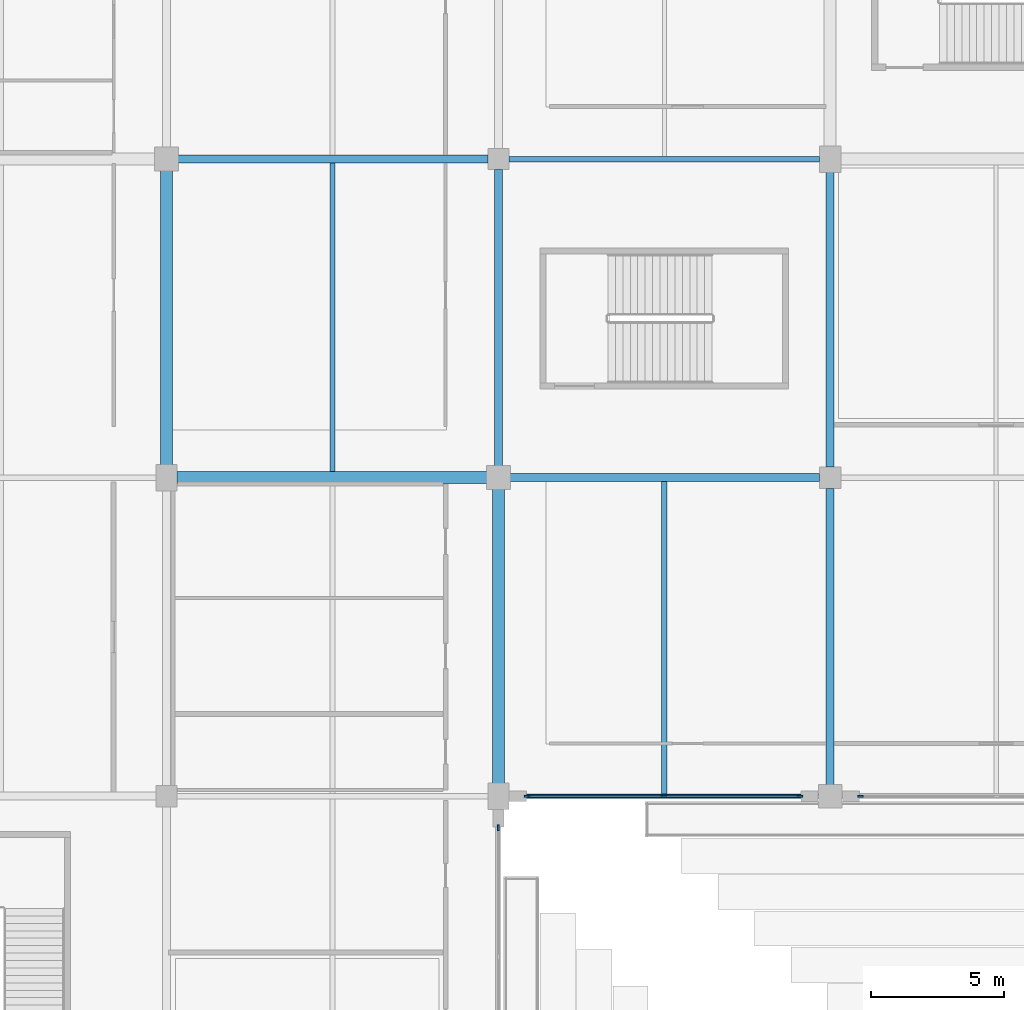
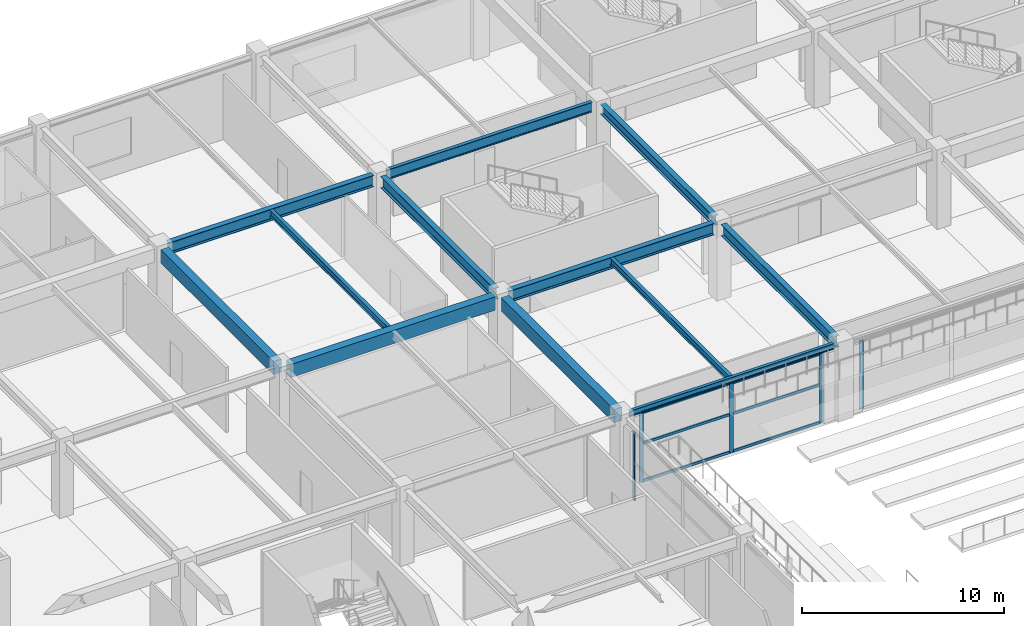
# One storey, part 52 of 134: 12 beams, 11 members, 3 elements without a shape of their own.
"""IFC4 building model written with IfcOpenShell, lengths in metres."""

from ifc_helpers import new_model, si_unit, direction, frame, origin, origin_2d, place, context, subcontext, project, spatial, rectangle, i_section, extrude, material, layer, layer_set, material_profile, profile_set, type_object, element, aggregate, save


model = new_model("IFC4")

# Units and contexts
model_context = context("Model", 3, precision=1e-05, world=origin(), true_north=direction((0.0, 1.0)))
body_context = subcontext(model_context, "Body", "Model", "MODEL_VIEW")
ifc_project = project(units=[si_unit("LENGTHUNIT", "METRE"), si_unit("AREAUNIT", "SQUARE_METRE"), si_unit("VOLUMEUNIT", "CUBIC_METRE"), si_unit("PLANEANGLEUNIT", "RADIAN"), si_unit("MASSUNIT", "GRAM", prefix="KILO")], contexts=[model_context])

# Site, building, storey
site_placement = place(None, origin())
site = spatial("IfcSite", under=ifc_project, at=site_placement, CompositionType="ELEMENT")
building_placement = place(site_placement, origin())
building = spatial("IfcBuilding", under=site, at=building_placement, Name="Kazenohara Klinker Stadium", CompositionType="ELEMENT")
storey_placement = place(building_placement, frame((0.0, 0.0, 5.39990234375)))
storey = spatial("IfcBuildingStorey", under=building, at=storey_placement, Name="L01", CompositionType="ELEMENT", Elevation=5.39990234375)

# Beams
ifc_material_1 = material(Name="Steel S355", Category="steel")
ifc_material_profile_1 = material_profile(ifc_material_1, i_section(OverallWidth=0.199951171875, OverallDepth=0.39990234375, WebThickness=0.008056640625, FlangeThickness=0.012939453125, FilletRadius=0.012939453125, at=origin_2d()), Name="H-400x200x8x13")
ifc_profile_set_1 = profile_set([ifc_material_profile_1], Name="Steel S355")
beam_type_1 = type_object("IfcBeamType", Name="BM-JST03", PredefinedType="JOIST", material=ifc_profile_set_1)
beam_1_placement = place(storey_placement, frame((42.75, 144.22509765625, 4.35009765625), z_axis=(0.0, 1.0, 0.0), x_axis=(-1.0, 0.0, 0.0)))
element("IfcBeam", 1, at=beam_1_placement, inside=storey, type_object=beam_type_1, Name="Secondary floor joist SJ03 L01 4/N", PredefinedType="JOIST", context=body_context, shape_type="SweptSolid", body=[
    extrude(i_section(OverallWidth=0.199951171875, OverallDepth=0.39990234375, WebThickness=0.008056640625, FlangeThickness=0.012939453125, FilletRadius=0.012939453125, at=origin_2d()), origin(), (0.0, 0.0, 1.0), 11.625),
])
beam_2_placement = place(storey_placement, frame((55.25, 132.08740234375, 4.35009765625), z_axis=(0.0, 1.0, 0.0), x_axis=(-1.0, 0.0, 0.0)))
element("IfcBeam", 2, at=beam_2_placement, inside=storey, type_object=beam_type_1, Name="Secondary floor joist SJ03 L01 5/M", PredefinedType="JOIST", context=body_context, shape_type="SweptSolid", body=[
    extrude(i_section(OverallWidth=0.199951171875, OverallDepth=0.39990234375, WebThickness=0.008056640625, FlangeThickness=0.012939453125, FilletRadius=0.012939453125, at=origin_2d()), origin(), (0.0, 0.0, 1.0), 11.7626953125),
])
ifc_material_2 = material(Name="Concrete C40/50", Category="concrete")
ifc_material_profile_2 = material_profile(ifc_material_2, rectangle(XDim=0.449951171875, YDim=0.800048828125, at=origin_2d()), Name="RC-BM-450x800")
ifc_profile_set_2 = profile_set([ifc_material_profile_2], Name="Concrete C40/50")
beam_type_2 = type_object("IfcBeamType", Name="BM-RC03", PredefinedType="BEAM", material=ifc_profile_set_2)
beam_3_placement = place(storey_placement, frame((36.89990234375, 144.0, 4.150146484375), z_axis=(1.0, 0.0, 0.0), x_axis=(0.0, 1.0, 0.0)))
element("IfcBeam", 3, at=beam_3_placement, inside=storey, type_object=beam_type_2, Name="Primary girder BG03 L01 4-5/N", PredefinedType="BEAM", context=body_context, shape_type="SweptSolid", body=[
    extrude(rectangle(XDim=0.449951171875, YDim=0.800048828125, at=origin_2d()), origin(), (0.0, 0.0, 1.0), 11.68017578125),
])
for number, where, z_axis, x_axis, name in (
    (4, (36.5, 144.419921875, 4.150146484375), (0.0, 1.0, 0.0), (-1.0, 0.0, 0.0), "Primary girder BG03 L01 4/N-P"),
    (5, (49.0, 132.419921875, 4.150146484375), (0.0, 1.0, 0.0), (-1.0, 0.0, 0.0), "Primary girder BG03 L01 5/M-N"),
):
    element("IfcBeam", number, at=place(storey_placement, frame(where, z_axis=z_axis, x_axis=x_axis)), inside=storey, type_object=beam_type_2, Name=name, PredefinedType="BEAM", context=body_context, shape_type="SweptSolid", body=[
        extrude(rectangle(XDim=0.449951171875, YDim=0.800048828125, at=origin_2d()), origin(), (0.0, 0.0, 1.0), 11.16015625),
    ])
ifc_material_profile_3 = material_profile(ifc_material_1, i_section(OverallWidth=0.175048828125, OverallDepth=0.35009765625, WebThickness=0.007080078125, FlangeThickness=0.010986328125, FilletRadius=0.012939453125, at=origin_2d()), Name="H-350x175x7x11")
ifc_profile_set_3 = profile_set([ifc_material_profile_3], Name="Steel S355")
beam_type_3 = type_object("IfcBeamType", Name="BM-SPD02", PredefinedType="SPANDREL", material=ifc_profile_set_3)
beam_4_placement = place(storey_placement, frame((49.39990234375, 132.0, 4.375), z_axis=(1.0, 0.0, 0.0), x_axis=(0.0, 1.0, 0.0)))
element("IfcBeam", 6, at=beam_4_placement, inside=storey, type_object=beam_type_3, Name="Primary girder SP02 L01 5-6/M", PredefinedType="SPANDREL", context=body_context, shape_type="SweptSolid", body=[
    extrude(i_section(OverallWidth=0.175048828125, OverallDepth=0.35009765625, WebThickness=0.007080078125, FlangeThickness=0.010986328125, FilletRadius=0.012939453125, at=origin_2d()), origin(), (0.0, 0.0, 1.0), 11.68017578125),
])
ifc_material_profile_4 = material_profile(ifc_material_1, i_section(OverallWidth=0.300048828125, OverallDepth=0.699951171875, WebThickness=0.012939453125, FlangeThickness=0.02392578125, FilletRadius=0.02197265625, at=origin_2d()), Name="H-700x300x13x24")
ifc_profile_set_4 = profile_set([ifc_material_profile_4], Name="Steel S355")
beam_type_4 = type_object("IfcBeamType", Name="BM-ST03", PredefinedType="BEAM", material=ifc_profile_set_4)
for number, where, z_axis, x_axis, name in (
    (7, (36.919921875, 156.0, 4.2001953125), (1.0, 0.0, 0.0), (0.0, 1.0, 0.0), "Primary girder SB03 L01 4-5/P"),
    (8, (49.419921875, 144.0, 4.2001953125), (1.0, 0.0, 0.0), (0.0, 1.0, 0.0), "Primary girder SB03 L01 5-6/N"),
):
    element("IfcBeam", number, at=place(storey_placement, frame(where, z_axis=z_axis, x_axis=x_axis)), inside=storey, type_object=beam_type_4, Name=name, PredefinedType="BEAM", context=body_context, shape_type="SweptSolid", body=[
        extrude(i_section(OverallWidth=0.300048828125, OverallDepth=0.699951171875, WebThickness=0.012939453125, FlangeThickness=0.02392578125, FilletRadius=0.02197265625, at=origin_2d()), origin(), (0.0, 0.0, 1.0), 11.68017578125),
    ])
for number, where, z_axis, x_axis, name in (
    (9, (49.0, 144.419921875, 4.2001953125), (0.0, 1.0, 0.0), (-1.0, 0.0, 0.0), "Primary girder SB03 L01 5/N-P"),
    (10, (61.5, 132.419921875, 4.2001953125), (0.0, 1.0, 0.0), (-1.0, 0.0, 0.0), "Primary girder SB03 L01 6/M-N"),
):
    element("IfcBeam", number, at=place(storey_placement, frame(where, z_axis=z_axis, x_axis=x_axis)), inside=storey, type_object=beam_type_4, Name=name, PredefinedType="BEAM", context=body_context, shape_type="SweptSolid", body=[
        extrude(i_section(OverallWidth=0.300048828125, OverallDepth=0.699951171875, WebThickness=0.012939453125, FlangeThickness=0.02392578125, FilletRadius=0.02197265625, at=origin_2d()), origin(), (0.0, 0.0, 1.0), 11.18017578125),
    ])
ifc_material_profile_5 = material_profile(ifc_material_1, i_section(OverallWidth=0.199951171875, OverallDepth=0.60009765625, WebThickness=0.010986328125, FlangeThickness=0.01708984375, FilletRadius=0.012939453125, at=origin_2d()), Name="H-600x200x11x17")
ifc_profile_set_5 = profile_set([ifc_material_profile_5], Name="Steel S355")
beam_type_5 = type_object("IfcBeamType", Name="BM-ST04", PredefinedType="BEAM", material=ifc_profile_set_5)
beam_5_placement = place(storey_placement, frame((49.39990234375, 156.0, 4.25), z_axis=(1.0, 0.0, 0.0), x_axis=(0.0, 1.0, 0.0)))
element("IfcBeam", 11, at=beam_5_placement, inside=storey, type_object=beam_type_5, Name="Primary girder SB04 L01 5-6/P", PredefinedType="BEAM", context=body_context, shape_type="SweptSolid", body=[
    extrude(i_section(OverallWidth=0.199951171875, OverallDepth=0.60009765625, WebThickness=0.010986328125, FlangeThickness=0.01708984375, FilletRadius=0.012939453125, at=origin_2d()), origin(), (0.0, 0.0, 1.0), 11.7001953125),
])
ifc_material_profile_6 = material_profile(ifc_material_1, i_section(OverallWidth=0.300048828125, OverallDepth=0.587890625, WebThickness=0.011962890625, FlangeThickness=0.02001953125, FilletRadius=0.02197265625, at=origin_2d()), Name="H-588x300x12x20")
ifc_profile_set_6 = profile_set([ifc_material_profile_6], Name="Steel S355")
beam_type_6 = type_object("IfcBeamType", Name="BM-ST05", PredefinedType="BEAM", material=ifc_profile_set_6)
beam_6_placement = place(storey_placement, frame((61.5, 144.39990234375, 4.256103515625), z_axis=(0.0, 1.0, 0.0), x_axis=(-1.0, 0.0, 0.0)))
element("IfcBeam", 12, at=beam_6_placement, inside=storey, type_object=beam_type_6, Name="Primary girder SB05 L01 6/N-P", PredefinedType="BEAM", context=body_context, shape_type="SweptSolid", body=[
    extrude(i_section(OverallWidth=0.300048828125, OverallDepth=0.587890625, WebThickness=0.011962890625, FlangeThickness=0.02001953125, FilletRadius=0.02197265625, at=origin_2d()), origin(), (0.0, 0.0, 1.0), 11.18017578125),
])

# Curtain wall, member
ifc_material_3 = material(Name="Anodised aluminium and triple glazing", Category="aluminium")
ifc_layer_1 = layer(ifc_material_3, 0.179931640625)
ifc_layer_set_1 = layer_set([ifc_layer_1], Name="Anodised aluminium and triple glazing")
curtain_wall_type_1 = type_object("IfcCurtainWallType", Name="CW-SYS-02", PredefinedType="USERDEFINED", material=ifc_layer_set_1)
curtain_wall_1_placement = place(storey_placement, origin())
curtain_wall_1 = element("IfcCurtainWall", 13, at=curtain_wall_1_placement, inside=storey, type_object=curtain_wall_type_1, Name="Unitised facade curtain wall CW02 L01 Y4-10", ObjectType="UNITISED CURTAIN WALL", PredefinedType="USERDEFINED")
ifc_material_4 = material(Name="Anodised aluminium 6063-T6", Category="aluminium")
ifc_material_profile_7 = material_profile(ifc_material_4, rectangle(XDim=0.074951171875, YDim=0.219970703125, at=origin_2d()), Name="ALU-MUL-75x220")
ifc_profile_set_7 = profile_set([ifc_material_profile_7], Name="Anodised aluminium 6063-T6")
member_type_1 = type_object("IfcMemberType", Name="CW-MUL-220", PredefinedType="MULLION", material=ifc_profile_set_7)
member_1_placement = place(storey_placement, frame((49.0, 130.80859375, 0.0), z_axis=(0.0, 0.0, 1.0), x_axis=(-1.0, 0.0, 0.0)))
member_1 = element("IfcMember", 14, at=member_1_placement, type_object=member_type_1, Name="CW02 mullion 3", PredefinedType="MULLION", context=body_context, shape_type="SweptSolid", body=[
    extrude(rectangle(XDim=0.074951171875, YDim=0.219970703125, at=origin_2d()), origin(), (0.0, 0.0, 1.0), 4.150146484375),
])
aggregate(curtain_wall_1, [member_1])

# Curtain wall, members
ifc_layer_2 = layer(ifc_material_3, 0.169921875)
ifc_layer_set_2 = layer_set([ifc_layer_2], Name="Anodised aluminium and triple glazing")
curtain_wall_type_2 = type_object("IfcCurtainWallType", Name="CW-SYS-04", PredefinedType="USERDEFINED", material=ifc_layer_set_2)
curtain_wall_2_placement = place(storey_placement, origin())
curtain_wall_2 = element("IfcCurtainWall", 15, at=curtain_wall_2_placement, inside=storey, type_object=curtain_wall_type_2, Name="Unitised facade curtain wall CW04 L01 X4-11", ObjectType="UNITISED CURTAIN WALL", PredefinedType="USERDEFINED")
member_2_placement = place(storey_placement, frame((50.091552734375, 132.0, 0.0), z_axis=(0.0, 0.0, 1.0), x_axis=(0.0, 1.0, 0.0)))
member_2 = element("IfcMember", 16, at=member_2_placement, type_object=member_type_1, Name="CW04 mullion 1", PredefinedType="MULLION", context=body_context, shape_type="SweptSolid", body=[
    extrude(rectangle(XDim=0.074951171875, YDim=0.219970703125, at=origin_2d()), origin(), (0.0, 0.0, 1.0), 4.2001953125),
])
member_3_placement = place(storey_placement, frame((55.22509765625, 132.0, 0.0), z_axis=(0.0, 0.0, 1.0), x_axis=(0.0, 1.0, 0.0)))
member_3 = element("IfcMember", 17, at=member_3_placement, type_object=member_type_1, Name="CW04 mullion 2", PredefinedType="MULLION", context=body_context, shape_type="SweptSolid", body=[
    extrude(rectangle(XDim=0.074951171875, YDim=0.219970703125, at=origin_2d()), origin(), (0.0, 0.0, 1.0), 4.2001953125),
])
member_4_placement = place(storey_placement, frame((60.3583984375, 132.0, 0.0), z_axis=(0.0, 0.0, 1.0), x_axis=(0.0, 1.0, 0.0)))
member_4 = element("IfcMember", 18, at=member_4_placement, type_object=member_type_1, Name="CW04 mullion 3", PredefinedType="MULLION", context=body_context, shape_type="SweptSolid", body=[
    extrude(rectangle(XDim=0.074951171875, YDim=0.219970703125, at=origin_2d()), origin(), (0.0, 0.0, 1.0), 4.2001953125),
])

# Curtain wall, member
ifc_layer_3 = layer(ifc_material_3, 0.159912109375)
ifc_layer_set_3 = layer_set([ifc_layer_3], Name="Anodised aluminium and triple glazing")
curtain_wall_type_3 = type_object("IfcCurtainWallType", Name="CW-SYS-01", PredefinedType="USERDEFINED", material=ifc_layer_set_3)
curtain_wall_3_placement = place(storey_placement, origin())
curtain_wall_3 = element("IfcCurtainWall", 19, at=curtain_wall_3_placement, inside=storey, type_object=curtain_wall_type_3, Name="Unitised facade curtain wall CW01 L01 X5-11", ObjectType="UNITISED CURTAIN WALL", PredefinedType="USERDEFINED")
member_5_placement = place(storey_placement, frame((62.6416015625, 132.0, 0.0), z_axis=(0.0, 0.0, 1.0), x_axis=(0.0, 1.0, 0.0)))
member_5 = element("IfcMember", 20, at=member_5_placement, type_object=member_type_1, Name="CW01 mullion 1", PredefinedType="MULLION", context=body_context, shape_type="SweptSolid", body=[
    extrude(rectangle(XDim=0.074951171875, YDim=0.219970703125, at=origin_2d()), origin(), (0.0, 0.0, 1.0), 4.150146484375),
])
aggregate(curtain_wall_3, [member_5])

# Member
ifc_material_profile_8 = material_profile(ifc_material_4, rectangle(XDim=0.074951171875, YDim=0.159912109375, at=origin_2d()), Name="ALU-TRN-75x160")
ifc_profile_set_8 = profile_set([ifc_material_profile_8], Name="Anodised aluminium 6063-T6")
member_type_2 = type_object("IfcMemberType", Name="CW-TRN-160", PredefinedType="USERDEFINED", material=ifc_profile_set_8)
member_6_placement = place(storey_placement, frame((50.12890625, 132.0, 0.03759765625), z_axis=(1.0, 0.0, 0.0), x_axis=(0.0, 1.0, 0.0)))
member_6 = element("IfcMember", 21, at=member_6_placement, type_object=member_type_2, Name="CW04 transom 1.1", ObjectType="TRANSOM", PredefinedType="USERDEFINED", context=body_context, shape_type="SweptSolid", body=[
    extrude(rectangle(XDim=0.074951171875, YDim=0.159912109375, at=origin_2d()), origin(), (0.0, 0.0, 1.0), 5.05859375),
])

member_7_placement = place(storey_placement, frame((50.12890625, 132.0, 2.31005859375), z_axis=(1.0, 0.0, 0.0), x_axis=(0.0, 1.0, 0.0)))
member_7 = element("IfcMember", 22, at=member_7_placement, type_object=member_type_2, Name="CW04 transom 1.2", ObjectType="TRANSOM", PredefinedType="USERDEFINED", context=body_context, shape_type="SweptSolid", body=[
    extrude(rectangle(XDim=0.074951171875, YDim=0.159912109375, at=origin_2d()), origin(), (0.0, 0.0, 1.0), 5.05859375),
])

member_8_placement = place(storey_placement, frame((50.12890625, 132.0, 4.16259765625), z_axis=(1.0, 0.0, 0.0), x_axis=(0.0, 1.0, 0.0)))
member_8 = element("IfcMember", 23, at=member_8_placement, type_object=member_type_2, Name="CW04 transom 1.3", ObjectType="TRANSOM", PredefinedType="USERDEFINED", context=body_context, shape_type="SweptSolid", body=[
    extrude(rectangle(XDim=0.074951171875, YDim=0.159912109375, at=origin_2d()), origin(), (0.0, 0.0, 1.0), 5.05859375),
])

member_9_placement = place(storey_placement, frame((55.262451171875, 132.0, 0.03759765625), z_axis=(1.0, 0.0, 0.0), x_axis=(0.0, 1.0, 0.0)))
member_9 = element("IfcMember", 24, at=member_9_placement, type_object=member_type_2, Name="CW04 transom 2.1", ObjectType="TRANSOM", PredefinedType="USERDEFINED", context=body_context, shape_type="SweptSolid", body=[
    extrude(rectangle(XDim=0.074951171875, YDim=0.159912109375, at=origin_2d()), origin(), (0.0, 0.0, 1.0), 5.05859375),
])

member_10_placement = place(storey_placement, frame((55.262451171875, 132.0, 2.31005859375), z_axis=(1.0, 0.0, 0.0), x_axis=(0.0, 1.0, 0.0)))
member_10 = element("IfcMember", 25, at=member_10_placement, type_object=member_type_2, Name="CW04 transom 2.2", ObjectType="TRANSOM", PredefinedType="USERDEFINED", context=body_context, shape_type="SweptSolid", body=[
    extrude(rectangle(XDim=0.074951171875, YDim=0.159912109375, at=origin_2d()), origin(), (0.0, 0.0, 1.0), 5.05859375),
])

member_11_placement = place(storey_placement, frame((55.262451171875, 132.0, 4.16259765625), z_axis=(1.0, 0.0, 0.0), x_axis=(0.0, 1.0, 0.0)))
member_11 = element("IfcMember", 26, at=member_11_placement, type_object=member_type_2, Name="CW04 transom 2.3", ObjectType="TRANSOM", PredefinedType="USERDEFINED", context=body_context, shape_type="SweptSolid", body=[
    extrude(rectangle(XDim=0.074951171875, YDim=0.159912109375, at=origin_2d()), origin(), (0.0, 0.0, 1.0), 5.05859375),
])

aggregate(curtain_wall_2, [member_2, member_3, member_4, member_6, member_7, member_8, member_9, member_10, member_11])

save(model, "model.ifc")
